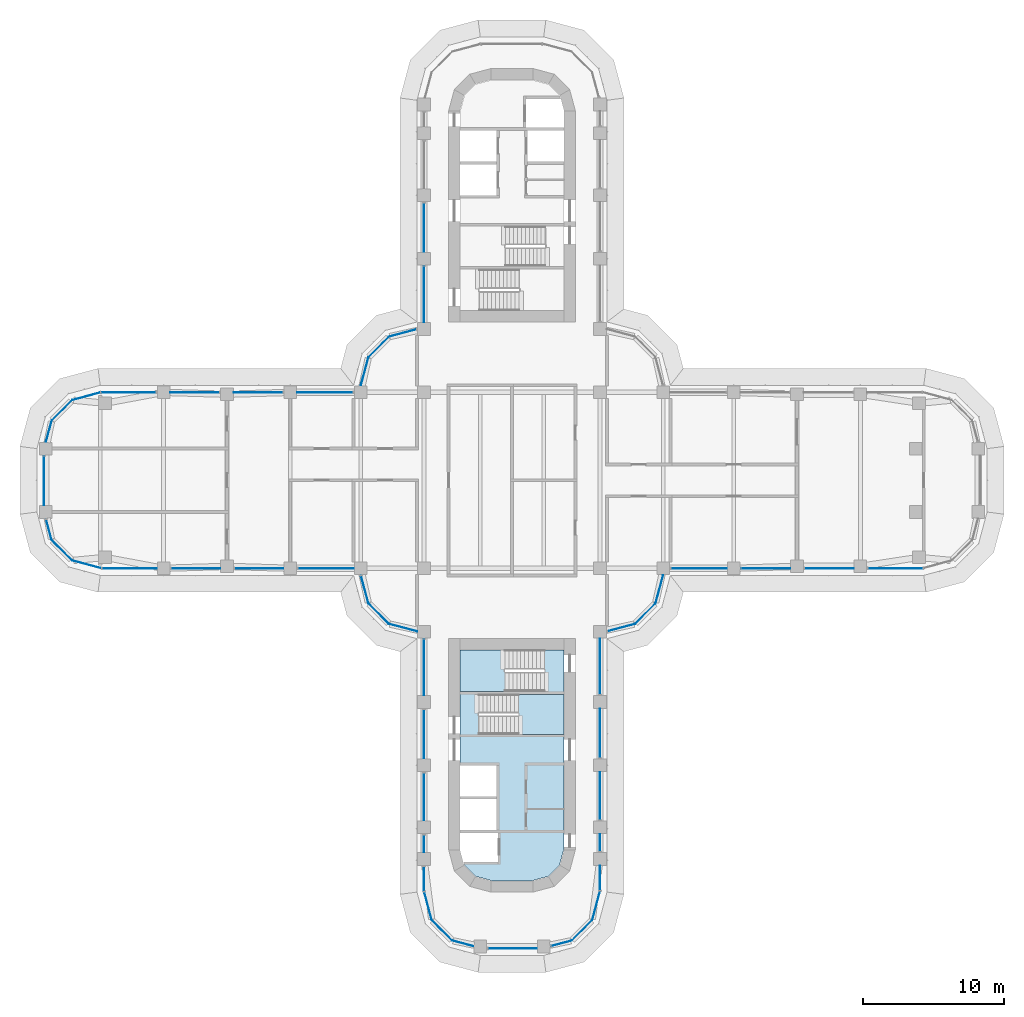
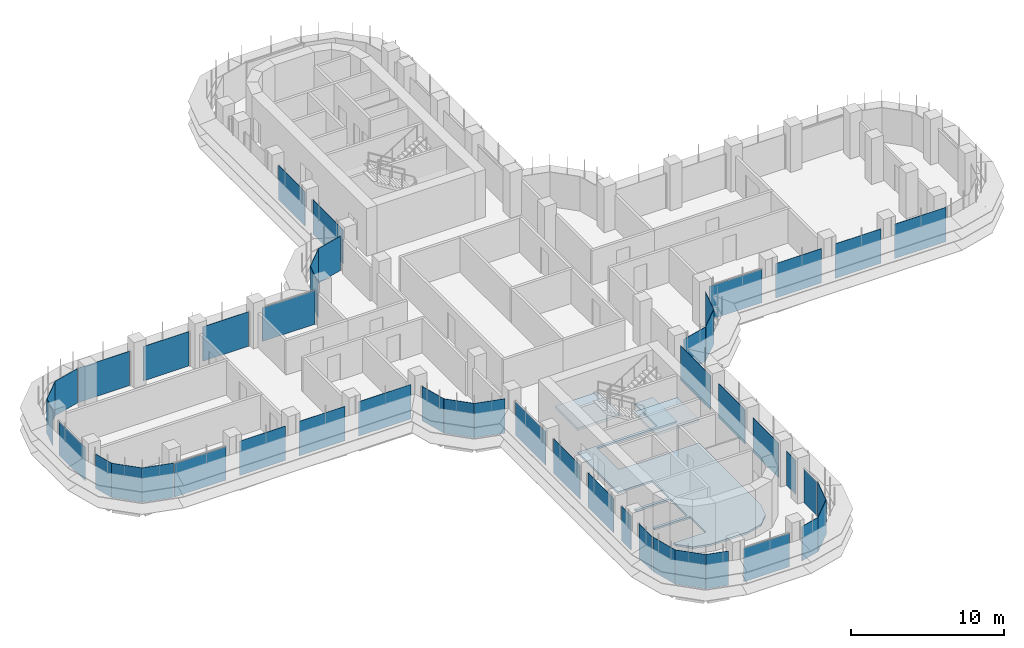
# One storey, part 12 of 22: 47 plates, 3 slabs, 31 elements without a shape of their own.
"""IFC4 building model written with IfcOpenShell, lengths in metres."""

from ifc_helpers import new_model, si_unit, direction, frame, origin, place, context, subcontext, project, spatial, polyline, outline, extrude, source, transform, mapped, material, layer, layer_set, type_object, element, aggregate, save


model = new_model("IFC4")

# Units and contexts
model_context = context("Model", 3, precision=1e-05, world=origin(), true_north=direction((0.0, 1.0)))
body_context = subcontext(model_context, "Body", "Model", "MODEL_VIEW")
ifc_project = project(units=[si_unit("LENGTHUNIT", "METRE"), si_unit("AREAUNIT", "SQUARE_METRE"), si_unit("VOLUMEUNIT", "CUBIC_METRE"), si_unit("PLANEANGLEUNIT", "RADIAN"), si_unit("MASSUNIT", "GRAM", prefix="KILO")], contexts=[model_context])

# Site, building, storey
site_placement = place(None, origin())
site = spatial("IfcSite", under=ifc_project, at=site_placement, CompositionType="ELEMENT")
building_placement = place(site_placement, origin())
building = spatial("IfcBuilding", under=site, at=building_placement, Name="Zarbagh Exchange Tower", CompositionType="ELEMENT")
storey_placement = place(building_placement, frame((0.0, 0.0, 98.0)))
storey = spatial("IfcBuildingStorey", under=building, at=storey_placement, Name="L22", CompositionType="ELEMENT", Elevation=98.0)

# Slab
ifc_material_1 = material(Name="Concrete C40/50", Category="concrete")
ifc_layer_1 = layer(ifc_material_1, 0.14990234375)
ifc_layer_set_1 = layer_set([ifc_layer_1], Name="Core floor slab 150 C40/50")
slab_type_1 = type_object("IfcSlabType", Name="Core floor slab 150 C40/50", PredefinedType="FLOOR", material=ifc_layer_set_1)
slab_1_placement = place(storey_placement, frame((0.0, 0.0, -0.14990234375)))
element("IfcSlab", 1, at=slab_1_placement, inside=storey, type_object=slab_type_1, Name="S17 core S", PredefinedType="FLOOR", context=body_context, shape_type="SweptSolid", body=[
    extrude(outline(polyline([(-2.5859375, -28.130859375), (-3.380859375, -27.3359375), (-3.646484375, -26.3447265625), (-3.444091796875, -27.10009765625), (-1.0, -27.10009765625), (-1.0, -25.050048828125), (-3.699951171875, -25.050048828125), (-3.699951171875, -24.85009765625), (-1.10009765625, -24.85009765625), (-1.10009765625, -22.64990234375), (-3.699951171875, -22.64990234375), (-3.699951171875, -22.449951171875), (-1.10009765625, -22.449951171875), (-1.10009765625, -20.25), (-3.699951171875, -20.25), (-3.699951171875, -15.0), (2.300048828125, -15.0), (2.300048828125, -12.050048828125), (3.699951171875, -12.050048828125), (3.699951171875, -15.199951171875), (-2.35009765625, -15.199951171875), (-2.35009765625, -18.050048828125), (3.699951171875, -18.050048828125), (3.699951171875, -26.144775390625), (3.380859375, -27.3359375), (2.5859375, -28.130859375), (1.394775390625, -28.449951171875), (-1.394775390625, -28.449951171875), (-2.5859375, -28.130859375)])), origin(), (0.0, 0.0, 1.0), 0.14990234375),
])

# Stair, slab
stair_type = type_object("IfcStairType", Name="Exit stair two-flight half-turn", PredefinedType="HALF_TURN_STAIR", material=ifc_material_1)
stair_1_placement = place(storey_placement, origin())
stair_1 = element("IfcStair", 2, at=stair_1_placement, inside=storey, type_object=stair_type, Name="exit stair ST3", PredefinedType="HALF_TURN_STAIR")
ifc_layer_2 = layer(ifc_material_1, 0.199951171875)
ifc_layer_set_2 = layer_set([ifc_layer_2], Name="Stair landing 200 mm")
slab_type_2 = type_object("IfcSlabType", Name="Stair landing 200 mm", PredefinedType="LANDING", material=ifc_layer_set_2)
slab_2_placement = place(storey_placement, frame((0.0, 0.0, 1.699951171875)))
slab_2 = element("IfcSlab", 3, at=slab_2_placement, type_object=slab_type_2, Name="ST3 landing 1", PredefinedType="LANDING", context=body_context, shape_type="SweptSolid", body=[
    extrude(outline(polyline([(0.449951171875, -18.050048828125), (3.699951171875, -18.050048828125), (3.699951171875, -15.199951171875), (0.449951171875, -15.199951171875), (0.449951171875, -18.050048828125)])), origin(), (0.0, 0.0, 1.0), 0.199951171875),
])
aggregate(stair_1, [slab_2])

stair_2_placement = place(storey_placement, origin())
stair_2 = element("IfcStair", 4, at=stair_2_placement, inside=storey, type_object=stair_type, Name="exit stair ST4", PredefinedType="HALF_TURN_STAIR")
slab_3_placement = place(storey_placement, frame((0.0, 0.0, 1.699951171875)))
slab_3 = element("IfcSlab", 5, at=slab_3_placement, type_object=slab_type_2, Name="ST4 landing 1", PredefinedType="LANDING", context=body_context, shape_type="SweptSolid", body=[
    extrude(outline(polyline([(-0.5, -12.050048828125), (-3.699951171875, -12.050048828125), (-3.699951171875, -15.0), (-0.5, -15.0), (-0.5, -12.050048828125)])), origin(), (0.0, 0.0, 1.0), 0.199951171875),
])
aggregate(stair_2, [slab_3])

# Curtain wall, plate
ifc_material_2 = material(Name="Anodised aluminium frame and glazing", Category="aluminium")
curtain_wall_type = type_object("IfcCurtainWallType", Name="CWA Ribbon glazing, lower zones", PredefinedType="NOTDEFINED", material=ifc_material_2)
curtain_wall_1_placement = place(storey_placement, origin())
curtain_wall_1 = element("IfcCurtainWall", 6, at=curtain_wall_1_placement, inside=storey, type_object=curtain_wall_type, Name="CWA01 curtain wall", PredefinedType="NOTDEFINED")
ifc_material_3 = material(Name="Low-e double glazed unit, 6+12+6 mm")
ifc_layer_3 = layer(ifc_material_3, 0.028076171875)
ifc_layer_set_3 = layer_set([ifc_layer_3], Name="PAA Glazing panel, Low-e double glazed unit, 6+12+6 mm")
plate_type = type_object("IfcPlateType", Name="PAA Glazing panel, Low-e double glazed unit, 6+12+6 mm", PredefinedType="CURTAIN_PANEL", material=ifc_layer_set_3)
shared_shape_1 = source(origin(), body_context, "Body", "SweptSolid", [
    extrude(outline(polyline([(0.0, -0.013916015625), (1.494140625, -0.013916015625), (1.494140625, 0.013916015625), (0.0, 0.013916015625), (0.0, -0.013916015625)])), origin(), (0.0, 0.0, 1.0), 2.75),
])
placement = place(storey_placement, origin())
plate_1 = element("IfcPlate", 7, at=placement, type_object=plate_type, Name="CWA01 glazing panel 1.1", PredefinedType="CURTAIN_PANEL", context=body_context, shape_type="MappedRepresentation", body=[
    mapped(shared_shape_1, transform((2.7978515625, -33.08544921875, 0.0), x_axis=(0.965924289636, 0.258824779902, 0.0), y_axis=(-0.258824779902, 0.965924289636, 0.0), z_axis=(0.0, 0.0, 1.0))),
])
aggregate(curtain_wall_1, [plate_1])

curtain_wall_2_placement = place(storey_placement, origin())
curtain_wall_2 = element("IfcCurtainWall", 8, at=curtain_wall_2_placement, inside=storey, type_object=curtain_wall_type, Name="CWA37 curtain wall", PredefinedType="NOTDEFINED")
plate_2 = element("IfcPlate", 9, at=placement, type_object=plate_type, Name="CWA37 glazing panel 1.1", PredefinedType="CURTAIN_PANEL", context=body_context, shape_type="MappedRepresentation", body=[
    mapped(shared_shape_1, transform((-33.08544921875, -2.7978515625, 0.0), x_axis=(0.258824779902, -0.965924289636, 0.0), y_axis=(0.965924289636, 0.258824779902, 0.0), z_axis=(0.0, 0.0, 1.0))),
])
aggregate(curtain_wall_2, [plate_2])

curtain_wall_3_placement = place(storey_placement, origin())
curtain_wall_3 = element("IfcCurtainWall", 10, at=curtain_wall_3_placement, inside=storey, type_object=curtain_wall_type, Name="CWA02 curtain wall", PredefinedType="NOTDEFINED")
shared_shape_2 = source(origin(), body_context, "Body", "SweptSolid", [
    extrude(outline(polyline([(0.0, -0.013916015625), (2.061279296875, -0.013916015625), (2.061279296875, 0.013916015625), (0.0, 0.013916015625), (0.0, -0.013916015625)])), origin(), (0.0, 0.0, 1.0), 2.75),
])
plate_3 = element("IfcPlate", 11, at=placement, type_object=plate_type, Name="CWA02 glazing panel 1.1", PredefinedType="CURTAIN_PANEL", context=body_context, shape_type="MappedRepresentation", body=[
    mapped(shared_shape_2, transform((4.2412109375, -32.69873046875, 0.0), x_axis=(0.707106781187, 0.707106781187, 0.0), y_axis=(-0.707106781187, 0.707106781187, 0.0), z_axis=(0.0, 0.0, 1.0))),
])
aggregate(curtain_wall_3, [plate_3])

curtain_wall_4_placement = place(storey_placement, origin())
curtain_wall_4 = element("IfcCurtainWall", 12, at=curtain_wall_4_placement, inside=storey, type_object=curtain_wall_type, Name="CWA06 curtain wall", PredefinedType="NOTDEFINED")
plate_4 = element("IfcPlate", 13, at=placement, type_object=plate_type, Name="CWA06 glazing panel 1.1", PredefinedType="CURTAIN_PANEL", context=body_context, shape_type="MappedRepresentation", body=[
    mapped(shared_shape_2, transform((8.7412109375, -10.19873046875, 0.0), x_axis=(0.707106781187, 0.707106781187, 0.0), y_axis=(-0.707106781187, 0.707106781187, 0.0), z_axis=(0.0, 0.0, 1.0))),
])
aggregate(curtain_wall_4, [plate_4])

curtain_wall_5_placement = place(storey_placement, origin())
curtain_wall_5 = element("IfcCurtainWall", 14, at=curtain_wall_5_placement, inside=storey, type_object=curtain_wall_type, Name="CWA30 curtain wall", PredefinedType="NOTDEFINED")
plate_5 = element("IfcPlate", 15, at=placement, type_object=plate_type, Name="CWA30 glazing panel 1.1", PredefinedType="CURTAIN_PANEL", context=body_context, shape_type="MappedRepresentation", body=[
    mapped(shared_shape_2, transform((-8.7412109375, 10.19873046875, 0.0), x_axis=(-0.707106781187, -0.707106781187, 0.0), y_axis=(0.707106781187, -0.707106781187, 0.0), z_axis=(0.0, 0.0, 1.0))),
])
aggregate(curtain_wall_5, [plate_5])

curtain_wall_6_placement = place(storey_placement, origin())
curtain_wall_6 = element("IfcCurtainWall", 16, at=curtain_wall_6_placement, inside=storey, type_object=curtain_wall_type, Name="CWA34 curtain wall", PredefinedType="NOTDEFINED")
plate_6 = element("IfcPlate", 17, at=placement, type_object=plate_type, Name="CWA34 glazing panel 1.1", PredefinedType="CURTAIN_PANEL", context=body_context, shape_type="MappedRepresentation", body=[
    mapped(shared_shape_2, transform((-31.2412109375, 5.69873046875, 0.0), x_axis=(-0.707106781187, -0.707106781187, 0.0), y_axis=(0.707106781187, -0.707106781187, 0.0), z_axis=(0.0, 0.0, 1.0))),
])
aggregate(curtain_wall_6, [plate_6])

curtain_wall_7_placement = place(storey_placement, origin())
curtain_wall_7 = element("IfcCurtainWall", 18, at=curtain_wall_7_placement, inside=storey, type_object=curtain_wall_type, Name="CWA38 curtain wall", PredefinedType="NOTDEFINED")
plate_7 = element("IfcPlate", 19, at=placement, type_object=plate_type, Name="CWA38 glazing panel 1.1", PredefinedType="CURTAIN_PANEL", context=body_context, shape_type="MappedRepresentation", body=[
    mapped(shared_shape_2, transform((-32.69873046875, -4.2412109375, 0.0), x_axis=(0.707106781187, -0.707106781187, 0.0), y_axis=(0.707106781187, 0.707106781187, 0.0), z_axis=(0.0, 0.0, 1.0))),
])
aggregate(curtain_wall_7, [plate_7])

curtain_wall_8_placement = place(storey_placement, origin())
curtain_wall_8 = element("IfcCurtainWall", 20, at=curtain_wall_8_placement, inside=storey, type_object=curtain_wall_type, Name="CWA42 curtain wall", PredefinedType="NOTDEFINED")
plate_8 = element("IfcPlate", 21, at=placement, type_object=plate_type, Name="CWA42 glazing panel 1.1", PredefinedType="CURTAIN_PANEL", context=body_context, shape_type="MappedRepresentation", body=[
    mapped(shared_shape_2, transform((-10.19873046875, -8.7412109375, 0.0), x_axis=(0.707106781187, -0.707106781187, 0.0), y_axis=(0.707106781187, 0.707106781187, 0.0), z_axis=(0.0, 0.0, 1.0))),
])
aggregate(curtain_wall_8, [plate_8])

curtain_wall_9_placement = place(storey_placement, origin())
curtain_wall_9 = element("IfcCurtainWall", 22, at=curtain_wall_9_placement, inside=storey, type_object=curtain_wall_type, Name="CWA46 curtain wall", PredefinedType="NOTDEFINED")
plate_9 = element("IfcPlate", 23, at=placement, type_object=plate_type, Name="CWA46 glazing panel 1.1", PredefinedType="CURTAIN_PANEL", context=body_context, shape_type="MappedRepresentation", body=[
    mapped(shared_shape_2, transform((-5.69873046875, -31.2412109375, 0.0), x_axis=(0.707106781187, -0.707106781187, 0.0), y_axis=(0.707106781187, 0.707106781187, 0.0), z_axis=(0.0, 0.0, 1.0))),
])
aggregate(curtain_wall_9, [plate_9])

curtain_wall_10_placement = place(storey_placement, origin())
curtain_wall_10 = element("IfcCurtainWall", 24, at=curtain_wall_10_placement, inside=storey, type_object=curtain_wall_type, Name="CWA03 curtain wall", PredefinedType="NOTDEFINED")
shared_shape_3 = source(origin(), body_context, "Body", "SweptSolid", [
    extrude(outline(polyline([(0.0, -0.013916015625), (2.129638671875, -0.013916015625), (2.129638671875, 0.013916015625), (0.0, 0.013916015625), (0.0, -0.013916015625)])), origin(), (0.0, 0.0, 1.0), 2.75),
])
plate_10 = element("IfcPlate", 25, at=placement, type_object=plate_type, Name="CWA03 glazing panel 1.1", PredefinedType="CURTAIN_PANEL", context=body_context, shape_type="MappedRepresentation", body=[
    mapped(shared_shape_3, transform((5.69873046875, -31.2412109375, 0.0), x_axis=(0.258824779902, 0.965924289636, 0.0), y_axis=(-0.965924289636, 0.258824779902, 0.0), z_axis=(0.0, 0.0, 1.0))),
])
aggregate(curtain_wall_10, [plate_10])

curtain_wall_11_placement = place(storey_placement, origin())
curtain_wall_11 = element("IfcCurtainWall", 26, at=curtain_wall_11_placement, inside=storey, type_object=curtain_wall_type, Name="CWA39 curtain wall", PredefinedType="NOTDEFINED")
plate_11 = element("IfcPlate", 27, at=placement, type_object=plate_type, Name="CWA39 glazing panel 1.1", PredefinedType="CURTAIN_PANEL", context=body_context, shape_type="MappedRepresentation", body=[
    mapped(shared_shape_3, transform((-31.2412109375, -5.69873046875, 0.0), x_axis=(0.965924289636, -0.258824779902, 0.0), y_axis=(0.258824779902, 0.965924289636, 0.0), z_axis=(0.0, 0.0, 1.0))),
])
aggregate(curtain_wall_11, [plate_11])

# Curtain wall, plates
curtain_wall_12_placement = place(storey_placement, origin())
curtain_wall_12 = element("IfcCurtainWall", 28, at=curtain_wall_12_placement, inside=storey, type_object=curtain_wall_type, Name="CWA04 curtain wall", PredefinedType="NOTDEFINED")
shared_shape_4 = source(origin(), body_context, "Body", "SweptSolid", [
    extrude(outline(polyline([(0.0, -0.013916015625), (1.734130859375, -0.013916015625), (1.734130859375, 0.013916015625), (0.0, 0.013916015625), (0.0, -0.013916015625)])), origin(), (0.0, 0.0, 1.0), 2.68994140625),
])
plate_12 = element("IfcPlate", 29, at=placement, type_object=plate_type, Name="CWA04 glazing panel 1.1", PredefinedType="CURTAIN_PANEL", context=body_context, shape_type="MappedRepresentation", body=[
    mapped(shared_shape_4, transform((6.25, -29.124267578125, 0.0), x_axis=(0.0, 1.0, 0.0), y_axis=(-1.0, 0.0, 0.0), z_axis=(0.0, 0.0, 1.0))),
])
shared_shape_5 = source(origin(), body_context, "Body", "SweptSolid", [
    extrude(outline(polyline([(0.0, -0.013916015625), (1.2099609375, -0.013916015625), (1.2099609375, 0.013916015625), (0.0, 0.013916015625), (0.0, -0.013916015625)])), origin(), (0.0, 0.0, 1.0), 2.75),
])
plate_13 = element("IfcPlate", 30, at=placement, type_object=plate_type, Name="CWA04 glazing panel 2.1", PredefinedType="CURTAIN_PANEL", context=body_context, shape_type="MappedRepresentation", body=[
    mapped(shared_shape_5, transform((6.25, -26.349853515625, 0.0), x_axis=(0.0, 1.0, 0.0), y_axis=(-1.0, 0.0, 0.0), z_axis=(0.0, 0.0, 1.0))),
])

# Curtain wall, plate
curtain_wall_13_placement = place(storey_placement, origin())
curtain_wall_13 = element("IfcCurtainWall", 31, at=curtain_wall_13_placement, inside=storey, type_object=curtain_wall_type, Name="CWA44 curtain wall", PredefinedType="NOTDEFINED")
plate_14 = element("IfcPlate", 32, at=placement, type_object=plate_type, Name="CWA44 glazing panel 4.1", PredefinedType="CURTAIN_PANEL", context=body_context, shape_type="MappedRepresentation", body=[
    mapped(shared_shape_5, transform((-6.25, -25.199951171875, 0.0), x_axis=(0.0, -1.0, 0.0), y_axis=(1.0, 0.0, 0.0), z_axis=(0.0, 0.0, 1.0))),
])

# Plate
shared_shape_6 = source(origin(), body_context, "Body", "SweptSolid", [
    extrude(outline(polyline([(0.0, -0.013916015625), (3.360107421875, -0.013916015625), (3.360107421875, 0.013916015625), (0.0, 0.013916015625), (0.0, -0.013916015625)])), origin(), (0.0, 0.0, 1.0), 2.75),
])
plate_15 = element("IfcPlate", 33, at=placement, type_object=plate_type, Name="CWA04 glazing panel 3.1", PredefinedType="CURTAIN_PANEL", context=body_context, shape_type="MappedRepresentation", body=[
    mapped(shared_shape_6, transform((6.25, -24.099853515625, 0.0), x_axis=(0.0, 1.0, 0.0), y_axis=(-1.0, 0.0, 0.0), z_axis=(0.0, 0.0, 1.0))),
])

plate_16 = element("IfcPlate", 34, at=placement, type_object=plate_type, Name="CWA44 glazing panel 3.1", PredefinedType="CURTAIN_PANEL", context=body_context, shape_type="MappedRepresentation", body=[
    mapped(shared_shape_6, transform((-6.25, -20.800048828125, 0.0), x_axis=(0.0, -1.0, 0.0), y_axis=(1.0, 0.0, 0.0), z_axis=(0.0, 0.0, 1.0))),
])

shared_shape_7 = source(origin(), body_context, "Body", "SweptSolid", [
    extrude(outline(polyline([(0.0, -0.013916015625), (3.4599609375, -0.013916015625), (3.4599609375, 0.013916015625), (0.0, 0.013916015625), (0.0, -0.013916015625)])), origin(), (0.0, 0.0, 1.0), 2.75),
])
plate_17 = element("IfcPlate", 35, at=placement, type_object=plate_type, Name="CWA04 glazing panel 4.1", PredefinedType="CURTAIN_PANEL", context=body_context, shape_type="MappedRepresentation", body=[
    mapped(shared_shape_7, transform((6.25, -19.699951171875, 0.0), x_axis=(0.0, 1.0, 0.0), y_axis=(-1.0, 0.0, 0.0), z_axis=(0.0, 0.0, 1.0))),
])

# Curtain wall, plates
curtain_wall_14_placement = place(storey_placement, origin())
curtain_wall_14 = element("IfcCurtainWall", 36, at=curtain_wall_14_placement, inside=storey, type_object=curtain_wall_type, Name="CWA08 curtain wall", PredefinedType="NOTDEFINED")
plate_18 = element("IfcPlate", 37, at=placement, type_object=plate_type, Name="CWA08 glazing panel 2.1", PredefinedType="CURTAIN_PANEL", context=body_context, shape_type="MappedRepresentation", body=[
    mapped(shared_shape_7, transform((16.300048828125, -6.25, 0.0), x_axis=(1.0, 0.0, 0.0), y_axis=(0.0, 1.0, 0.0), z_axis=(0.0, 0.0, 1.0))),
])
plate_19 = element("IfcPlate", 38, at=placement, type_object=plate_type, Name="CWA08 glazing panel 3.1", PredefinedType="CURTAIN_PANEL", context=body_context, shape_type="MappedRepresentation", body=[
    mapped(shared_shape_7, transform((20.800048828125, -6.25, 0.0), x_axis=(1.0, 0.0, 0.0), y_axis=(0.0, 1.0, 0.0), z_axis=(0.0, 0.0, 1.0))),
])

# Curtain wall, plate
curtain_wall_15_placement = place(storey_placement, origin())
curtain_wall_15 = element("IfcCurtainWall", 39, at=curtain_wall_15_placement, inside=storey, type_object=curtain_wall_type, Name="CWA56 curtain wall", PredefinedType="NOTDEFINED")
plate_20 = element("IfcPlate", 40, at=placement, type_object=plate_type, Name="CWA56 glazing panel 3.1", PredefinedType="CURTAIN_PANEL", context=body_context, shape_type="MappedRepresentation", body=[
    mapped(shared_shape_7, transform((-6.25, 19.699951171875, 0.0), x_axis=(0.0, -1.0, 0.0), y_axis=(1.0, 0.0, 0.0), z_axis=(0.0, 0.0, 1.0))),
])

# Curtain wall, plates
curtain_wall_16_placement = place(storey_placement, origin())
curtain_wall_16 = element("IfcCurtainWall", 41, at=curtain_wall_16_placement, inside=storey, type_object=curtain_wall_type, Name="CWA32 curtain wall", PredefinedType="NOTDEFINED")
plate_21 = element("IfcPlate", 42, at=placement, type_object=plate_type, Name="CWA32 glazing panel 2.1", PredefinedType="CURTAIN_PANEL", context=body_context, shape_type="MappedRepresentation", body=[
    mapped(shared_shape_7, transform((-16.300048828125, 6.25, 0.0), x_axis=(-1.0, 0.0, 0.0), y_axis=(0.0, -1.0, 0.0), z_axis=(0.0, 0.0, 1.0))),
])
plate_22 = element("IfcPlate", 43, at=placement, type_object=plate_type, Name="CWA32 glazing panel 3.1", PredefinedType="CURTAIN_PANEL", context=body_context, shape_type="MappedRepresentation", body=[
    mapped(shared_shape_7, transform((-20.800048828125, 6.25, 0.0), x_axis=(-1.0, 0.0, 0.0), y_axis=(0.0, -1.0, 0.0), z_axis=(0.0, 0.0, 1.0))),
])

curtain_wall_17_placement = place(storey_placement, origin())
curtain_wall_17 = element("IfcCurtainWall", 44, at=curtain_wall_17_placement, inside=storey, type_object=curtain_wall_type, Name="CWA40 curtain wall", PredefinedType="NOTDEFINED")
plate_23 = element("IfcPlate", 45, at=placement, type_object=plate_type, Name="CWA40 glazing panel 2.1", PredefinedType="CURTAIN_PANEL", context=body_context, shape_type="MappedRepresentation", body=[
    mapped(shared_shape_7, transform((-24.199951171875, -6.25, 0.0), x_axis=(1.0, 0.0, 0.0), y_axis=(0.0, 1.0, 0.0), z_axis=(0.0, 0.0, 1.0))),
])
plate_24 = element("IfcPlate", 46, at=placement, type_object=plate_type, Name="CWA40 glazing panel 3.1", PredefinedType="CURTAIN_PANEL", context=body_context, shape_type="MappedRepresentation", body=[
    mapped(shared_shape_7, transform((-19.699951171875, -6.25, 0.0), x_axis=(1.0, 0.0, 0.0), y_axis=(0.0, 1.0, 0.0), z_axis=(0.0, 0.0, 1.0))),
])

# Plate
plate_25 = element("IfcPlate", 47, at=placement, type_object=plate_type, Name="CWA44 glazing panel 2.1", PredefinedType="CURTAIN_PANEL", context=body_context, shape_type="MappedRepresentation", body=[
    mapped(shared_shape_7, transform((-6.25, -16.300048828125, 0.0), x_axis=(0.0, -1.0, 0.0), y_axis=(1.0, 0.0, 0.0), z_axis=(0.0, 0.0, 1.0))),
])

shared_shape_8 = source(origin(), body_context, "Body", "SweptSolid", [
    extrude(outline(polyline([(0.0, -0.013916015625), (3.9599609375, -0.013916015625), (3.9599609375, 0.013916015625), (0.0, 0.013916015625), (0.0, -0.013916015625)])), origin(), (0.0, 0.0, 1.0), 2.75),
])
plate_26 = element("IfcPlate", 48, at=placement, type_object=plate_type, Name="CWA04 glazing panel 5.1", PredefinedType="CURTAIN_PANEL", context=body_context, shape_type="MappedRepresentation", body=[
    mapped(shared_shape_8, transform((6.25, -15.199951171875, 0.0), x_axis=(0.0, 1.0, 0.0), y_axis=(-1.0, 0.0, 0.0), z_axis=(0.0, 0.0, 1.0))),
])

aggregate(curtain_wall_12, [plate_12, plate_13, plate_15, plate_17, plate_26])

plate_27 = element("IfcPlate", 49, at=placement, type_object=plate_type, Name="CWA56 glazing panel 4.1", PredefinedType="CURTAIN_PANEL", context=body_context, shape_type="MappedRepresentation", body=[
    mapped(shared_shape_8, transform((-6.25, 15.199951171875, 0.0), x_axis=(0.0, -1.0, 0.0), y_axis=(1.0, 0.0, 0.0), z_axis=(0.0, 0.0, 1.0))),
])

aggregate(curtain_wall_15, [plate_20, plate_27])

plate_28 = element("IfcPlate", 50, at=placement, type_object=plate_type, Name="CWA40 glazing panel 4.1", PredefinedType="CURTAIN_PANEL", context=body_context, shape_type="MappedRepresentation", body=[
    mapped(shared_shape_8, transform((-15.199951171875, -6.25, 0.0), x_axis=(1.0, 0.0, 0.0), y_axis=(0.0, 1.0, 0.0), z_axis=(0.0, 0.0, 1.0))),
])

# Curtain wall, plate
curtain_wall_18_placement = place(storey_placement, origin())
curtain_wall_18 = element("IfcCurtainWall", 51, at=curtain_wall_18_placement, inside=storey, type_object=curtain_wall_type, Name="CWA05 curtain wall", PredefinedType="NOTDEFINED")
shared_shape_9 = source(origin(), body_context, "Body", "SweptSolid", [
    extrude(outline(polyline([(0.0, -0.013916015625), (2.01171875, -0.013916015625), (2.01171875, 0.013916015625), (0.0, 0.013916015625), (0.0, -0.013916015625)])), origin(), (0.0, 0.0, 1.0), 2.75),
])
plate_29 = element("IfcPlate", 52, at=placement, type_object=plate_type, Name="CWA05 glazing panel 1.1", PredefinedType="CURTAIN_PANEL", context=body_context, shape_type="MappedRepresentation", body=[
    mapped(shared_shape_9, transform((6.7978515625, -10.719482421875, 0.0), x_axis=(0.965924289636, 0.258824779902, 0.0), y_axis=(-0.258824779902, 0.965924289636, 0.0), z_axis=(0.0, 0.0, 1.0))),
])
aggregate(curtain_wall_18, [plate_29])

curtain_wall_19_placement = place(storey_placement, origin())
curtain_wall_19 = element("IfcCurtainWall", 53, at=curtain_wall_19_placement, inside=storey, type_object=curtain_wall_type, Name="CWA29 curtain wall", PredefinedType="NOTDEFINED")
plate_30 = element("IfcPlate", 54, at=placement, type_object=plate_type, Name="CWA29 glazing panel 1.1", PredefinedType="CURTAIN_PANEL", context=body_context, shape_type="MappedRepresentation", body=[
    mapped(shared_shape_9, transform((-6.7978515625, 10.719482421875, 0.0), x_axis=(-0.965924289636, -0.258824779902, 0.0), y_axis=(0.258824779902, -0.965924289636, 0.0), z_axis=(0.0, 0.0, 1.0))),
])
aggregate(curtain_wall_19, [plate_30])

curtain_wall_20_placement = place(storey_placement, origin())
curtain_wall_20 = element("IfcCurtainWall", 55, at=curtain_wall_20_placement, inside=storey, type_object=curtain_wall_type, Name="CWA41 curtain wall", PredefinedType="NOTDEFINED")
plate_31 = element("IfcPlate", 56, at=placement, type_object=plate_type, Name="CWA41 glazing panel 1.1", PredefinedType="CURTAIN_PANEL", context=body_context, shape_type="MappedRepresentation", body=[
    mapped(shared_shape_9, transform((-10.719482421875, -6.7978515625, 0.0), x_axis=(0.258824779902, -0.965924289636, 0.0), y_axis=(0.965924289636, 0.258824779902, 0.0), z_axis=(0.0, 0.0, 1.0))),
])
aggregate(curtain_wall_20, [plate_31])

curtain_wall_21_placement = place(storey_placement, origin())
curtain_wall_21 = element("IfcCurtainWall", 57, at=curtain_wall_21_placement, inside=storey, type_object=curtain_wall_type, Name="CWA07 curtain wall", PredefinedType="NOTDEFINED")
shared_shape_10 = source(origin(), body_context, "Body", "SweptSolid", [
    extrude(outline(polyline([(0.0, -0.013916015625), (2.07177734375, -0.013916015625), (2.07177734375, 0.013916015625), (0.0, 0.013916015625), (0.0, -0.013916015625)])), origin(), (0.0, 0.0, 1.0), 2.75),
])
plate_32 = element("IfcPlate", 58, at=placement, type_object=plate_type, Name="CWA07 glazing panel 1.1", PredefinedType="CURTAIN_PANEL", context=body_context, shape_type="MappedRepresentation", body=[
    mapped(shared_shape_10, transform((10.19873046875, -8.7412109375, 0.0), x_axis=(0.258824779902, 0.965924289636, 0.0), y_axis=(-0.965924289636, 0.258824779902, 0.0), z_axis=(0.0, 0.0, 1.0))),
])
aggregate(curtain_wall_21, [plate_32])

curtain_wall_22_placement = place(storey_placement, origin())
curtain_wall_22 = element("IfcCurtainWall", 59, at=curtain_wall_22_placement, inside=storey, type_object=curtain_wall_type, Name="CWA31 curtain wall", PredefinedType="NOTDEFINED")
plate_33 = element("IfcPlate", 60, at=placement, type_object=plate_type, Name="CWA31 glazing panel 1.1", PredefinedType="CURTAIN_PANEL", context=body_context, shape_type="MappedRepresentation", body=[
    mapped(shared_shape_10, transform((-10.19873046875, 8.7412109375, 0.0), x_axis=(-0.258824779902, -0.965924289636, 0.0), y_axis=(0.965924289636, -0.258824779902, 0.0), z_axis=(0.0, 0.0, 1.0))),
])
aggregate(curtain_wall_22, [plate_33])

curtain_wall_23_placement = place(storey_placement, origin())
curtain_wall_23 = element("IfcCurtainWall", 61, at=curtain_wall_23_placement, inside=storey, type_object=curtain_wall_type, Name="CWA43 curtain wall", PredefinedType="NOTDEFINED")
plate_34 = element("IfcPlate", 62, at=placement, type_object=plate_type, Name="CWA43 glazing panel 1.1", PredefinedType="CURTAIN_PANEL", context=body_context, shape_type="MappedRepresentation", body=[
    mapped(shared_shape_10, transform((-8.7412109375, -10.19873046875, 0.0), x_axis=(0.965924289636, -0.258824779902, 0.0), y_axis=(0.258824779902, 0.965924289636, 0.0), z_axis=(0.0, 0.0, 1.0))),
])
aggregate(curtain_wall_23, [plate_34])

# Plate
shared_shape_11 = source(origin(), body_context, "Body", "SweptSolid", [
    extrude(outline(polyline([(0.0, -0.013916015625), (3.9599609375, -0.013916015625), (3.9599609375, 0.013916015625), (0.0, 0.013916015625), (0.0, -0.013916015625)])), origin(), (0.0, 0.0, 1.0), 2.68994140625),
])
plate_35 = element("IfcPlate", 63, at=placement, type_object=plate_type, Name="CWA08 glazing panel 1.1", PredefinedType="CURTAIN_PANEL", context=body_context, shape_type="MappedRepresentation", body=[
    mapped(shared_shape_11, transform((11.300048828125, -6.25, 0.0), x_axis=(1.0, 0.0, 0.0), y_axis=(0.0, 1.0, 0.0), z_axis=(0.0, 0.0, 1.0))),
])

plate_36 = element("IfcPlate", 64, at=placement, type_object=plate_type, Name="CWA32 glazing panel 1.1", PredefinedType="CURTAIN_PANEL", context=body_context, shape_type="MappedRepresentation", body=[
    mapped(shared_shape_11, transform((-11.300048828125, 6.25, 0.0), x_axis=(-1.0, 0.0, 0.0), y_axis=(0.0, -1.0, 0.0), z_axis=(0.0, 0.0, 1.0))),
])

plate_37 = element("IfcPlate", 65, at=placement, type_object=plate_type, Name="CWA44 glazing panel 1.1", PredefinedType="CURTAIN_PANEL", context=body_context, shape_type="MappedRepresentation", body=[
    mapped(shared_shape_11, transform((-6.25, -11.300048828125, 0.0), x_axis=(0.0, -1.0, 0.0), y_axis=(1.0, 0.0, 0.0), z_axis=(0.0, 0.0, 1.0))),
])

shared_shape_12 = source(origin(), body_context, "Body", "SweptSolid", [
    extrude(outline(polyline([(0.0, -0.013916015625), (3.884033203125, -0.013916015625), (3.884033203125, 0.013916015625), (0.0, 0.013916015625), (0.0, -0.013916015625)])), origin(), (0.0, 0.0, 1.0), 2.75),
])
plate_38 = element("IfcPlate", 66, at=placement, type_object=plate_type, Name="CWA08 glazing panel 4.1", PredefinedType="CURTAIN_PANEL", context=body_context, shape_type="MappedRepresentation", body=[
    mapped(shared_shape_12, transform((25.300048828125, -6.25, 0.0), x_axis=(1.0, 0.0, 0.0), y_axis=(0.0, 1.0, 0.0), z_axis=(0.0, 0.0, 1.0))),
])

aggregate(curtain_wall_14, [plate_35, plate_18, plate_19, plate_38])

plate_39 = element("IfcPlate", 67, at=placement, type_object=plate_type, Name="CWA32 glazing panel 4.1", PredefinedType="CURTAIN_PANEL", context=body_context, shape_type="MappedRepresentation", body=[
    mapped(shared_shape_12, transform((-25.300048828125, 6.25, 0.0), x_axis=(-1.0, 0.0, 0.0), y_axis=(0.0, -1.0, 0.0), z_axis=(0.0, 0.0, 1.0))),
])

aggregate(curtain_wall_16, [plate_36, plate_21, plate_22, plate_39])

# Curtain wall, plate
curtain_wall_24_placement = place(storey_placement, origin())
curtain_wall_24 = element("IfcCurtainWall", 68, at=curtain_wall_24_placement, inside=storey, type_object=curtain_wall_type, Name="CWA33 curtain wall", PredefinedType="NOTDEFINED")
shared_shape_13 = source(origin(), body_context, "Body", "SweptSolid", [
    extrude(outline(polyline([(0.0, -0.013916015625), (2.069580078125, -0.013916015625), (2.069580078125, 0.013916015625), (0.0, 0.013916015625), (0.0, -0.013916015625)])), origin(), (0.0, 0.0, 1.0), 2.75),
])
plate_40 = element("IfcPlate", 69, at=placement, type_object=plate_type, Name="CWA33 glazing panel 1.1", PredefinedType="CURTAIN_PANEL", context=body_context, shape_type="MappedRepresentation", body=[
    mapped(shared_shape_13, transform((-29.2421875, 6.234375, 0.0), x_axis=(-0.965924289636, -0.258824779902, 0.0), y_axis=(0.258824779902, -0.965924289636, 0.0), z_axis=(0.0, 0.0, 1.0))),
])
aggregate(curtain_wall_24, [plate_40])

curtain_wall_25_placement = place(storey_placement, origin())
curtain_wall_25 = element("IfcCurtainWall", 70, at=curtain_wall_25_placement, inside=storey, type_object=curtain_wall_type, Name="CWA45 curtain wall", PredefinedType="NOTDEFINED")
plate_41 = element("IfcPlate", 71, at=placement, type_object=plate_type, Name="CWA45 glazing panel 1.1", PredefinedType="CURTAIN_PANEL", context=body_context, shape_type="MappedRepresentation", body=[
    mapped(shared_shape_13, transform((-6.234375, -29.2421875, 0.0), x_axis=(0.258824779902, -0.965924289636, 0.0), y_axis=(0.965924289636, 0.258824779902, 0.0), z_axis=(0.0, 0.0, 1.0))),
])
aggregate(curtain_wall_25, [plate_41])

curtain_wall_26_placement = place(storey_placement, origin())
curtain_wall_26 = element("IfcCurtainWall", 72, at=curtain_wall_26_placement, inside=storey, type_object=curtain_wall_type, Name="CWA35 curtain wall", PredefinedType="NOTDEFINED")
shared_shape_14 = source(origin(), body_context, "Body", "SweptSolid", [
    extrude(outline(polyline([(0.0, -0.013916015625), (1.55419921875, -0.013916015625), (1.55419921875, 0.013916015625), (0.0, 0.013916015625), (0.0, -0.013916015625)])), origin(), (0.0, 0.0, 1.0), 2.75),
])
plate_42 = element("IfcPlate", 73, at=placement, type_object=plate_type, Name="CWA35 glazing panel 1.1", PredefinedType="CURTAIN_PANEL", context=body_context, shape_type="MappedRepresentation", body=[
    mapped(shared_shape_14, transform((-32.69873046875, 4.2412109375, 0.0), x_axis=(-0.258824779902, -0.965924289636, 0.0), y_axis=(0.965924289636, -0.258824779902, 0.0), z_axis=(0.0, 0.0, 1.0))),
])
aggregate(curtain_wall_26, [plate_42])

curtain_wall_27_placement = place(storey_placement, origin())
curtain_wall_27 = element("IfcCurtainWall", 74, at=curtain_wall_27_placement, inside=storey, type_object=curtain_wall_type, Name="CWA47 curtain wall", PredefinedType="NOTDEFINED")
plate_43 = element("IfcPlate", 75, at=placement, type_object=plate_type, Name="CWA47 glazing panel 1.1", PredefinedType="CURTAIN_PANEL", context=body_context, shape_type="MappedRepresentation", body=[
    mapped(shared_shape_14, transform((-4.2412109375, -32.69873046875, 0.0), x_axis=(0.965924289636, -0.258824779902, 0.0), y_axis=(0.258824779902, 0.965924289636, 0.0), z_axis=(0.0, 0.0, 1.0))),
])
aggregate(curtain_wall_27, [plate_43])

curtain_wall_28_placement = place(storey_placement, origin())
curtain_wall_28 = element("IfcCurtainWall", 76, at=curtain_wall_28_placement, inside=storey, type_object=curtain_wall_type, Name="CWA36 curtain wall", PredefinedType="NOTDEFINED")
shared_shape_15 = source(origin(), body_context, "Body", "SweptSolid", [
    extrude(outline(polyline([(0.0, -0.013916015625), (3.4599609375, -0.013916015625), (3.4599609375, 0.013916015625), (0.0, 0.013916015625), (0.0, -0.013916015625)])), origin(), (0.0, 0.0, 1.0), 2.68994140625),
])
plate_44 = element("IfcPlate", 77, at=placement, type_object=plate_type, Name="CWA36 glazing panel 1.1", PredefinedType="CURTAIN_PANEL", context=body_context, shape_type="MappedRepresentation", body=[
    mapped(shared_shape_15, transform((-33.25, 1.699951171875, 0.0), x_axis=(0.0, -1.0, 0.0), y_axis=(1.0, 0.0, 0.0), z_axis=(0.0, 0.0, 1.0))),
])
aggregate(curtain_wall_28, [plate_44])

curtain_wall_29_placement = place(storey_placement, origin())
curtain_wall_29 = element("IfcCurtainWall", 78, at=curtain_wall_29_placement, inside=storey, type_object=curtain_wall_type, Name="CWA48 curtain wall", PredefinedType="NOTDEFINED")
plate_45 = element("IfcPlate", 79, at=placement, type_object=plate_type, Name="CWA48 glazing panel 1.1", PredefinedType="CURTAIN_PANEL", context=body_context, shape_type="MappedRepresentation", body=[
    mapped(shared_shape_15, transform((-1.699951171875, -33.25, 0.0), x_axis=(1.0, 0.0, 0.0), y_axis=(0.0, 1.0, 0.0), z_axis=(0.0, 0.0, 1.0))),
])
aggregate(curtain_wall_29, [plate_45])

# Plate
shared_shape_16 = source(origin(), body_context, "Body", "SweptSolid", [
    extrude(outline(polyline([(0.0, -0.013916015625), (3.88427734375, -0.013916015625), (3.88427734375, 0.013916015625), (0.0, 0.013916015625), (0.0, -0.013916015625)])), origin(), (0.0, 0.0, 1.0), 2.68994140625),
])
plate_46 = element("IfcPlate", 80, at=placement, type_object=plate_type, Name="CWA40 glazing panel 1.1", PredefinedType="CURTAIN_PANEL", context=body_context, shape_type="MappedRepresentation", body=[
    mapped(shared_shape_16, transform((-29.124267578125, -6.25, 0.0), x_axis=(1.0, 0.0, 0.0), y_axis=(0.0, 1.0, 0.0), z_axis=(0.0, 0.0, 1.0))),
])

aggregate(curtain_wall_17, [plate_46, plate_23, plate_24, plate_28])

shared_shape_17 = source(origin(), body_context, "Body", "SweptSolid", [
    extrude(outline(polyline([(0.0, -0.013916015625), (1.734130859375, -0.013916015625), (1.734130859375, 0.013916015625), (0.0, 0.013916015625), (0.0, -0.013916015625)])), origin(), (0.0, 0.0, 1.0), 2.75),
])
plate_47 = element("IfcPlate", 81, at=placement, type_object=plate_type, Name="CWA44 glazing panel 5.1", PredefinedType="CURTAIN_PANEL", context=body_context, shape_type="MappedRepresentation", body=[
    mapped(shared_shape_17, transform((-6.25, -27.449951171875, 0.0), x_axis=(0.0, -1.0, 0.0), y_axis=(1.0, 0.0, 0.0), z_axis=(0.0, 0.0, 1.0))),
])

aggregate(curtain_wall_13, [plate_37, plate_25, plate_16, plate_14, plate_47])

save(model, "model.ifc")
